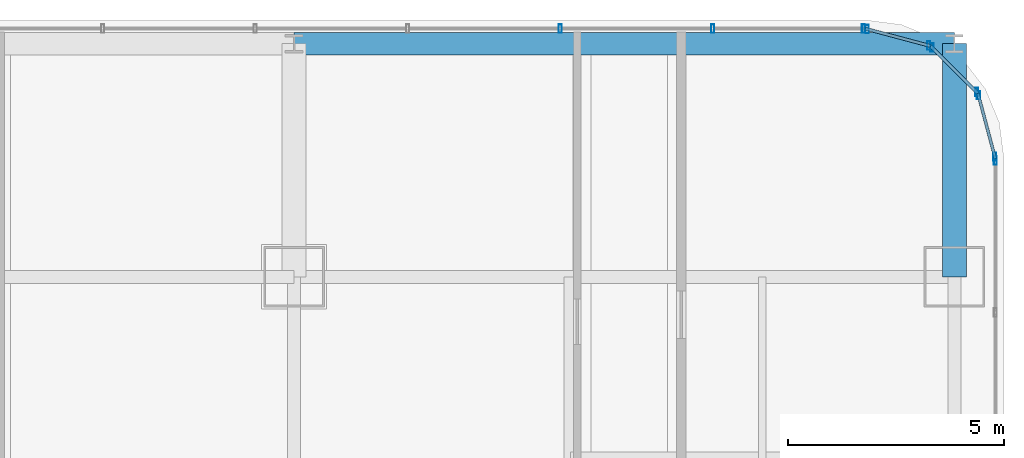
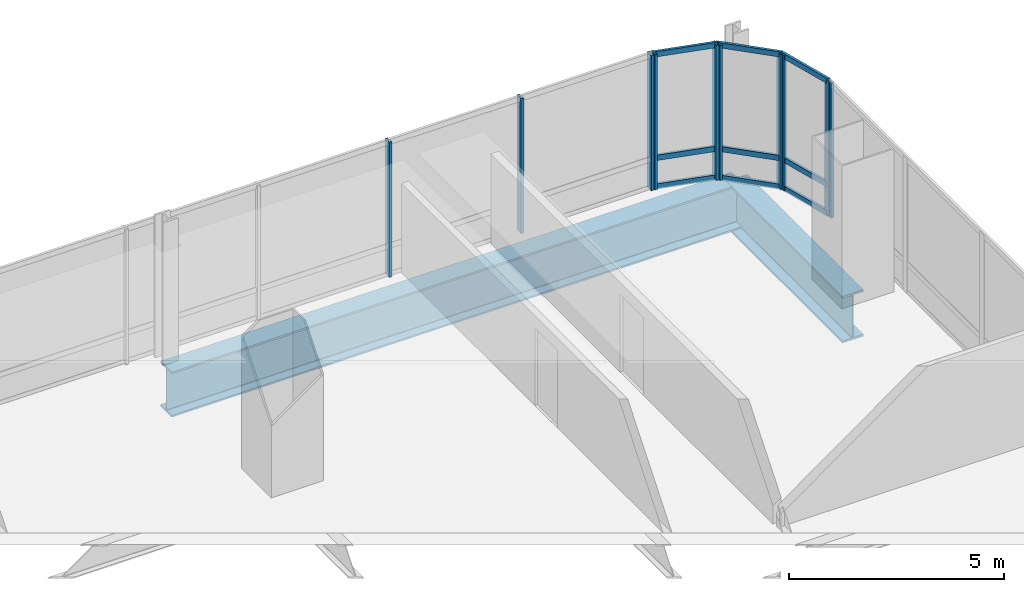
# One storey, part 27 of 38: 19 members, 2 beams, 5 elements without a shape of their own.
"""IFC4 building model written with IfcOpenShell, lengths in metres."""

from ifc_helpers import new_model, si_unit, direction, frame, origin, origin_2d, place, context, subcontext, project, spatial, hollow_rectangle, i_section, extrude, material, material_profile, profile_set, type_object, element, aggregate, save


model = new_model("IFC4")

# Units and contexts
model_context = context("Model", 3, precision=1e-05, world=origin(), true_north=direction((0.0, 1.0)))
body_context = subcontext(model_context, "Body", "Model", "MODEL_VIEW")
ifc_project = project(units=[si_unit("LENGTHUNIT", "METRE"), si_unit("AREAUNIT", "SQUARE_METRE"), si_unit("VOLUMEUNIT", "CUBIC_METRE"), si_unit("PLANEANGLEUNIT", "RADIAN"), si_unit("MASSUNIT", "GRAM", prefix="KILO")], contexts=[model_context])

# Site, building, storey
site_placement = place(None, origin())
site = spatial("IfcSite", under=ifc_project, at=site_placement, CompositionType="ELEMENT")
building_placement = place(site_placement, origin())
building = spatial("IfcBuilding", under=site, at=building_placement, Name="Punatoya Terracotta Tower", CompositionType="ELEMENT")
storey_placement = place(building_placement, frame((0.0, 0.0, 143.85009765625)))
storey = spatial("IfcBuildingStorey", under=building, at=storey_placement, Name="L33", CompositionType="ELEMENT", Elevation=143.85009765625)

# Beams
ifc_material_1 = material(Name="Steel S460", Category="steel")
ifc_material_profile_1 = material_profile(ifc_material_1, i_section(OverallWidth=0.56005859375, OverallDepth=1.320068359375, WebThickness=0.035888671875, FlangeThickness=0.054931640625, FilletRadius=0.01806640625, at=origin_2d()))
ifc_profile_set_1 = profile_set([ifc_material_profile_1], Name="Steel S460")
beam_type_1 = type_object("IfcBeamType", Name="BM-TG-BLK", PredefinedType="BEAM", material=ifc_profile_set_1)
beam_1_placement = place(storey_placement, frame((19.10009765625, 17.5, -0.880126953125), z_axis=(0.0, 1.0, 0.0), x_axis=(-1.0, 0.0, 0.0)))
element("IfcBeam", 1, at=beam_1_placement, inside=storey, type_object=beam_type_1, Name="BM-L33-CANT-N4", PredefinedType="BEAM", context=body_context, shape_type="SweptSolid", body=[
    extrude(i_section(OverallWidth=0.56005859375, OverallDepth=1.320068359375, WebThickness=0.035888671875, FlangeThickness=0.054931640625, FilletRadius=0.01806640625, at=origin_2d()), origin(), (0.0, 0.0, 1.0), 5.39990234375),
])
ifc_material_profile_2 = material_profile(ifc_material_1, i_section(OverallWidth=0.52001953125, OverallDepth=1.280029296875, WebThickness=0.031982421875, FlangeThickness=0.050048828125, FilletRadius=0.01806640625, at=origin_2d()))
ifc_profile_set_2 = profile_set([ifc_material_profile_2], Name="Steel S460")
beam_type_2 = type_object("IfcBeamType", Name="BM-TG-NCK", PredefinedType="BEAM", material=ifc_profile_set_2)
beam_2_placement = place(storey_placement, frame((3.800048828125, 22.89990234375, -0.860107421875), z_axis=(1.0, 0.0, 0.0), x_axis=(0.0, 1.0, 0.0)))
element("IfcBeam", 2, at=beam_2_placement, inside=storey, type_object=beam_type_2, Name="BM-L33-PER-N3", PredefinedType="BEAM", context=body_context, shape_type="SweptSolid", body=[
    extrude(i_section(OverallWidth=0.52001953125, OverallDepth=1.280029296875, WebThickness=0.031982421875, FlangeThickness=0.050048828125, FilletRadius=0.01806640625, at=origin_2d()), origin(), (0.0, 0.0, 1.0), 15.300048828125),
])

# Curtain wall, member
ifc_material_2 = material(Name="Aluminium 6063-T6 + Double Low-E Glass", Category="aluminium")
curtain_wall_type = type_object("IfcCurtainWallType", Name="CW-M2", PredefinedType="NOTDEFINED", material=ifc_material_2)
curtain_wall_1_placement = place(storey_placement, origin())
curtain_wall_1 = element("IfcCurtainWall", 3, at=curtain_wall_1_placement, inside=storey, type_object=curtain_wall_type, Name="L33 Curtain Wall CW-L33-E05-1", PredefinedType="NOTDEFINED")
ifc_material_3 = material(Name="Aluminium 6063-T6", Category="aluminium")
ifc_material_profile_3 = material_profile(ifc_material_3, hollow_rectangle(XDim=0.072021484375, YDim=0.195068359375, WallThickness=0.00439453125, at=origin_2d()))
ifc_profile_set_3 = profile_set([ifc_material_profile_3], Name="Aluminium 6063-T6")
member_type_1 = type_object("IfcMemberType", Name="CW-MUL-M2", PredefinedType="MULLION", material=ifc_profile_set_3)
member_1_placement = place(storey_placement, frame((20.050048828125, 20.19189453125, 0.0), z_axis=(0.0, 0.0, 1.0), x_axis=(1.0, 0.0, 0.0)))
member_1 = element("IfcMember", 4, at=member_1_placement, type_object=member_type_1, Name="CW-L33-E05-1 Mullion 10", PredefinedType="MULLION", context=body_context, shape_type="SweptSolid", body=[
    extrude(hollow_rectangle(XDim=0.072021484375, YDim=0.195068359375, WallThickness=0.00439453125, at=origin_2d()), origin(), (0.0, 0.0, 1.0), 3.829833984375),
])
aggregate(curtain_wall_1, [member_1])

# Curtain wall, members
curtain_wall_2_placement = place(storey_placement, origin())
curtain_wall_2 = element("IfcCurtainWall", 5, at=curtain_wall_2_placement, inside=storey, type_object=curtain_wall_type, Name="L33 Curtain Wall CW-L33-CRN06", PredefinedType="NOTDEFINED")
member_2_placement = place(storey_placement, frame((20.038330078125, 20.280517578125, 0.0), z_axis=(0.0, 0.0, 1.0), x_axis=(1.0, 0.0, 0.0)))
member_2 = element("IfcMember", 6, at=member_2_placement, type_object=member_type_1, Name="CW-L33-CRN06 Mullion 00", PredefinedType="MULLION", context=body_context, shape_type="SweptSolid", body=[
    extrude(hollow_rectangle(XDim=0.072021484375, YDim=0.195068359375, WallThickness=0.00439453125, at=origin_2d()), origin(), (0.0, 0.0, 1.0), 3.829833984375),
])
member_3_placement = place(storey_placement, frame((19.658203125, 21.70556640625, 0.0), z_axis=(0.0, 0.0, 1.0), x_axis=(1.0, 0.0, 0.0)))
member_3 = element("IfcMember", 7, at=member_3_placement, type_object=member_type_1, Name="CW-L33-CRN06 Mullion 01", PredefinedType="MULLION", context=body_context, shape_type="SweptSolid", body=[
    extrude(hollow_rectangle(XDim=0.072021484375, YDim=0.195068359375, WallThickness=0.00439453125, at=origin_2d()), origin(), (0.0, 0.0, 1.0), 3.829833984375),
])

curtain_wall_3_placement = place(storey_placement, origin())
curtain_wall_3 = element("IfcCurtainWall", 8, at=curtain_wall_3_placement, inside=storey, type_object=curtain_wall_type, Name="L33 Curtain Wall CW-L33-CRN07", PredefinedType="NOTDEFINED")
member_4_placement = place(storey_placement, frame((19.61474609375, 21.781005859375, 0.0), z_axis=(0.0, 0.0, 1.0), x_axis=(1.0, 0.0, 0.0)))
member_4 = element("IfcMember", 9, at=member_4_placement, type_object=member_type_1, Name="CW-L33-CRN07 Mullion 00", PredefinedType="MULLION", context=body_context, shape_type="SweptSolid", body=[
    extrude(hollow_rectangle(XDim=0.072021484375, YDim=0.195068359375, WallThickness=0.00439453125, at=origin_2d()), origin(), (0.0, 0.0, 1.0), 3.829833984375),
])
member_5_placement = place(storey_placement, frame((18.580810546875, 22.814697265625, 0.0), z_axis=(0.0, 0.0, 1.0), x_axis=(1.0, 0.0, 0.0)))
member_5 = element("IfcMember", 10, at=member_5_placement, type_object=member_type_1, Name="CW-L33-CRN07 Mullion 01", PredefinedType="MULLION", context=body_context, shape_type="SweptSolid", body=[
    extrude(hollow_rectangle(XDim=0.072021484375, YDim=0.195068359375, WallThickness=0.00439453125, at=origin_2d()), origin(), (0.0, 0.0, 1.0), 3.829833984375),
])

curtain_wall_4_placement = place(storey_placement, origin())
curtain_wall_4 = element("IfcCurtainWall", 11, at=curtain_wall_4_placement, inside=storey, type_object=curtain_wall_type, Name="L33 Curtain Wall CW-L33-CRN08", PredefinedType="NOTDEFINED")
member_6_placement = place(storey_placement, frame((18.505615234375, 22.858154296875, 0.0), z_axis=(0.0, 0.0, 1.0), x_axis=(1.0, 0.0, 0.0)))
member_6 = element("IfcMember", 12, at=member_6_placement, type_object=member_type_1, Name="CW-L33-CRN08 Mullion 00", PredefinedType="MULLION", context=body_context, shape_type="SweptSolid", body=[
    extrude(hollow_rectangle(XDim=0.072021484375, YDim=0.195068359375, WallThickness=0.00439453125, at=origin_2d()), origin(), (0.0, 0.0, 1.0), 3.829833984375),
])
member_7_placement = place(storey_placement, frame((17.080322265625, 23.23828125, 0.0), z_axis=(0.0, 0.0, 1.0), x_axis=(1.0, 0.0, 0.0)))
member_7 = element("IfcMember", 13, at=member_7_placement, type_object=member_type_1, Name="CW-L33-CRN08 Mullion 01", PredefinedType="MULLION", context=body_context, shape_type="SweptSolid", body=[
    extrude(hollow_rectangle(XDim=0.072021484375, YDim=0.195068359375, WallThickness=0.00439453125, at=origin_2d()), origin(), (0.0, 0.0, 1.0), 3.829833984375),
])

curtain_wall_5_placement = place(storey_placement, origin())
curtain_wall_5 = element("IfcCurtainWall", 14, at=curtain_wall_5_placement, inside=storey, type_object=curtain_wall_type, Name="L33 Curtain Wall CW-L33-N09-1", PredefinedType="NOTDEFINED")
member_8_placement = place(storey_placement, frame((16.991943359375, 23.25, 0.0), z_axis=(0.0, 0.0, 1.0), x_axis=(1.0, 0.0, 0.0)))
member_8 = element("IfcMember", 15, at=member_8_placement, type_object=member_type_1, Name="CW-L33-N09-1 Mullion 00", PredefinedType="MULLION", context=body_context, shape_type="SweptSolid", body=[
    extrude(hollow_rectangle(XDim=0.072021484375, YDim=0.195068359375, WallThickness=0.00439453125, at=origin_2d()), origin(), (0.0, 0.0, 1.0), 3.829833984375),
])
member_9_placement = place(storey_placement, frame((13.5029296875, 23.25, 0.0), z_axis=(0.0, 0.0, 1.0), x_axis=(1.0, 0.0, 0.0)))
member_9 = element("IfcMember", 16, at=member_9_placement, type_object=member_type_1, Name="CW-L33-N09-1 Mullion 01", PredefinedType="MULLION", context=body_context, shape_type="SweptSolid", body=[
    extrude(hollow_rectangle(XDim=0.072021484375, YDim=0.195068359375, WallThickness=0.00439453125, at=origin_2d()), origin(), (0.0, 0.0, 1.0), 3.829833984375),
])
member_10_placement = place(storey_placement, frame((9.968994140625, 23.25, 0.0), z_axis=(0.0, 0.0, 1.0), x_axis=(1.0, 0.0, 0.0)))
member_10 = element("IfcMember", 17, at=member_10_placement, type_object=member_type_1, Name="CW-L33-N09-1 Mullion 02", PredefinedType="MULLION", context=body_context, shape_type="SweptSolid", body=[
    extrude(hollow_rectangle(XDim=0.072021484375, YDim=0.195068359375, WallThickness=0.00439453125, at=origin_2d()), origin(), (0.0, 0.0, 1.0), 3.829833984375),
])
aggregate(curtain_wall_5, [member_8, member_9, member_10])

# Member
ifc_material_profile_4 = material_profile(ifc_material_3, hollow_rectangle(XDim=0.068115234375, YDim=0.14990234375, WallThickness=0.00390625, at=origin_2d()))
ifc_profile_set_4 = profile_set([ifc_material_profile_4], Name="Aluminium 6063-T6")
member_type_2 = type_object("IfcMemberType", Name="CW-TRN-TYP", PredefinedType="USERDEFINED", material=ifc_profile_set_4)
member_11_placement = place(storey_placement, frame((20.050048828125, 20.23681640625, 0.039794921875), z_axis=(-0.257847112249, 0.966185730957, 0.0), x_axis=(-0.966185730957, -0.257847112249, 0.0)))
member_11 = element("IfcMember", 18, at=member_11_placement, type_object=member_type_2, Name="CW-L33-CRN06 Transom 1", ObjectType="TRANSOM", PredefinedType="USERDEFINED", context=body_context, shape_type="SweptSolid", body=[
    extrude(hollow_rectangle(XDim=0.068115234375, YDim=0.14990234375, WallThickness=0.00390625, at=origin_2d()), origin(), (0.0, 0.0, 1.0), 1.565185546875),
])

member_12_placement = place(storey_placement, frame((20.050048828125, 20.23681640625, 0.849853515625), z_axis=(-0.257847112249, 0.966185730957, 0.0), x_axis=(-0.966185730957, -0.257847112249, 0.0)))
member_12 = element("IfcMember", 19, at=member_12_placement, type_object=member_type_2, Name="CW-L33-CRN06 Transom 2", ObjectType="TRANSOM", PredefinedType="USERDEFINED", context=body_context, shape_type="SweptSolid", body=[
    extrude(hollow_rectangle(XDim=0.068115234375, YDim=0.14990234375, WallThickness=0.00390625, at=origin_2d()), origin(), (0.0, 0.0, 1.0), 1.565185546875),
])

member_13_placement = place(storey_placement, frame((20.050048828125, 20.23681640625, 3.789794921875), z_axis=(-0.257847112249, 0.966185730957, 0.0), x_axis=(-0.966185730957, -0.257847112249, 0.0)))
member_13 = element("IfcMember", 20, at=member_13_placement, type_object=member_type_2, Name="CW-L33-CRN06 Transom 3", ObjectType="TRANSOM", PredefinedType="USERDEFINED", context=body_context, shape_type="SweptSolid", body=[
    extrude(hollow_rectangle(XDim=0.068115234375, YDim=0.14990234375, WallThickness=0.00390625, at=origin_2d()), origin(), (0.0, 0.0, 1.0), 1.565185546875),
])

aggregate(curtain_wall_2, [member_2, member_3, member_11, member_12, member_13])

member_14_placement = place(storey_placement, frame((19.646484375, 21.7490234375, 0.039794921875), z_axis=(-0.707028130747, 0.707185422879, 0.0), x_axis=(-0.707185422879, -0.707028130747, 0.0)))
member_14 = element("IfcMember", 21, at=member_14_placement, type_object=member_type_2, Name="CW-L33-CRN07 Transom 1", ObjectType="TRANSOM", PredefinedType="USERDEFINED", context=body_context, shape_type="SweptSolid", body=[
    extrude(hollow_rectangle(XDim=0.068115234375, YDim=0.14990234375, WallThickness=0.00390625, at=origin_2d()), origin(), (0.0, 0.0, 1.0), 1.55224609375),
])

member_15_placement = place(storey_placement, frame((19.646484375, 21.7490234375, 0.849853515625), z_axis=(-0.707028130747, 0.707185422879, 0.0), x_axis=(-0.707185422879, -0.707028130747, 0.0)))
member_15 = element("IfcMember", 22, at=member_15_placement, type_object=member_type_2, Name="CW-L33-CRN07 Transom 2", ObjectType="TRANSOM", PredefinedType="USERDEFINED", context=body_context, shape_type="SweptSolid", body=[
    extrude(hollow_rectangle(XDim=0.068115234375, YDim=0.14990234375, WallThickness=0.00390625, at=origin_2d()), origin(), (0.0, 0.0, 1.0), 1.55224609375),
])

member_16_placement = place(storey_placement, frame((19.646484375, 21.7490234375, 3.789794921875), z_axis=(-0.707028130747, 0.707185422879, 0.0), x_axis=(-0.707185422879, -0.707028130747, 0.0)))
member_16 = element("IfcMember", 23, at=member_16_placement, type_object=member_type_2, Name="CW-L33-CRN07 Transom 3", ObjectType="TRANSOM", PredefinedType="USERDEFINED", context=body_context, shape_type="SweptSolid", body=[
    extrude(hollow_rectangle(XDim=0.068115234375, YDim=0.14990234375, WallThickness=0.00390625, at=origin_2d()), origin(), (0.0, 0.0, 1.0), 1.55224609375),
])

aggregate(curtain_wall_3, [member_4, member_5, member_14, member_15, member_16])

member_17_placement = place(storey_placement, frame((18.549072265625, 22.8466796875, 0.039794921875), z_axis=(-0.966224582397, 0.257701486942, 0.0), x_axis=(-0.257701486942, -0.966224582397, 0.0)))
member_17 = element("IfcMember", 24, at=member_17_placement, type_object=member_type_2, Name="CW-L33-CRN08 Transom 1", ObjectType="TRANSOM", PredefinedType="USERDEFINED", context=body_context, shape_type="SweptSolid", body=[
    extrude(hollow_rectangle(XDim=0.068115234375, YDim=0.14990234375, WallThickness=0.00390625, at=origin_2d()), origin(), (0.0, 0.0, 1.0), 1.565185546875),
])

member_18_placement = place(storey_placement, frame((18.549072265625, 22.8466796875, 0.849853515625), z_axis=(-0.966224582397, 0.257701486942, 0.0), x_axis=(-0.257701486942, -0.966224582397, 0.0)))
member_18 = element("IfcMember", 25, at=member_18_placement, type_object=member_type_2, Name="CW-L33-CRN08 Transom 2", ObjectType="TRANSOM", PredefinedType="USERDEFINED", context=body_context, shape_type="SweptSolid", body=[
    extrude(hollow_rectangle(XDim=0.068115234375, YDim=0.14990234375, WallThickness=0.00390625, at=origin_2d()), origin(), (0.0, 0.0, 1.0), 1.565185546875),
])

member_19_placement = place(storey_placement, frame((18.549072265625, 22.8466796875, 3.789794921875), z_axis=(-0.966224582397, 0.257701486942, 0.0), x_axis=(-0.257701486942, -0.966224582397, 0.0)))
member_19 = element("IfcMember", 26, at=member_19_placement, type_object=member_type_2, Name="CW-L33-CRN08 Transom 3", ObjectType="TRANSOM", PredefinedType="USERDEFINED", context=body_context, shape_type="SweptSolid", body=[
    extrude(hollow_rectangle(XDim=0.068115234375, YDim=0.14990234375, WallThickness=0.00390625, at=origin_2d()), origin(), (0.0, 0.0, 1.0), 1.565185546875),
])

aggregate(curtain_wall_4, [member_6, member_7, member_17, member_18, member_19])

save(model, "model.ifc")
